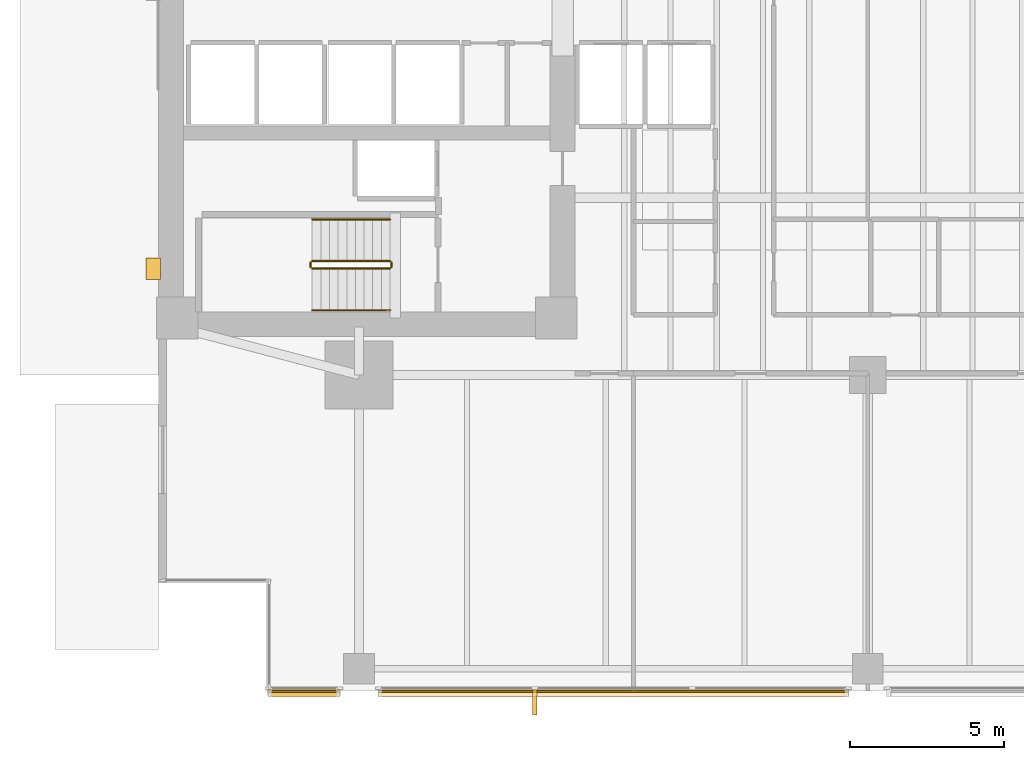
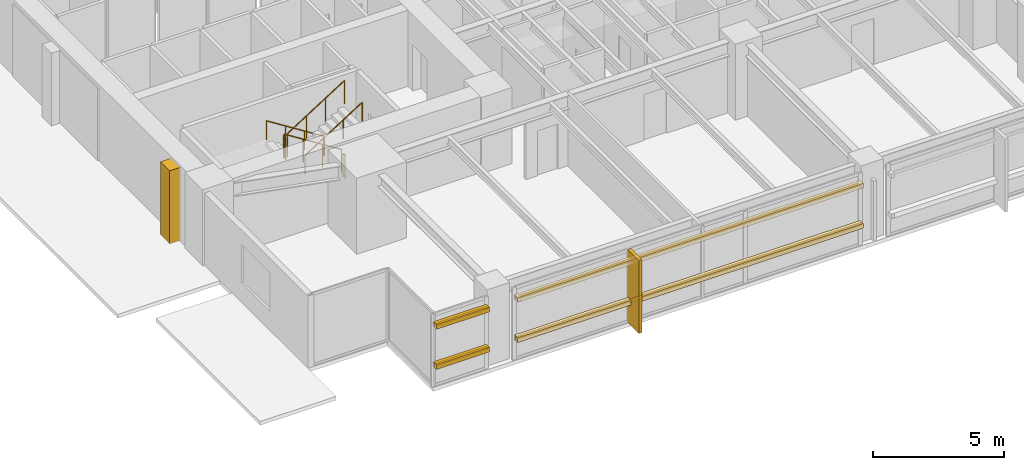
# One storey, part 13 of 16: 6 coverings, 6 railings, 4 shading devices.
"""IFC4 building model written with IfcOpenShell, lengths in metres."""

from ifc_helpers import new_model, si_unit, direction, frame, origin, origin_2d, place, context, subcontext, project, spatial, polyline, rectangle, circle, outline, extrude, material, layer, layer_set, material_profile, profile_set, type_object, element, save


model = new_model("IFC4")

# Units and contexts
model_context = context("Model", 3, precision=1e-05, world=origin(), true_north=direction((0.0, 1.0)))
body_context = subcontext(model_context, "Body", "Model", "MODEL_VIEW")
ifc_project = project(units=[si_unit("LENGTHUNIT", "METRE"), si_unit("AREAUNIT", "SQUARE_METRE"), si_unit("VOLUMEUNIT", "CUBIC_METRE"), si_unit("PLANEANGLEUNIT", "RADIAN"), si_unit("MASSUNIT", "GRAM", prefix="KILO")], contexts=[model_context])

# Site, building, storey
site_placement = place(None, origin())
site = spatial("IfcSite", under=ifc_project, at=site_placement, CompositionType="ELEMENT")
building_placement = place(site_placement, origin())
building = spatial("IfcBuilding", under=site, at=building_placement, Name="Kinhvarn Gate Tower", CompositionType="ELEMENT")
storey_placement = place(building_placement, frame((0.0, 0.0, 25.60009765625)))
storey = spatial("IfcBuildingStorey", under=building, at=storey_placement, Name="L05", CompositionType="ELEMENT", Elevation=25.60009765625)

# Coverings
ifc_material_1 = material(Name="Fired architectural terracotta", Category="masonry")
ifc_layer_1 = layer(ifc_material_1, 0.239990234375)
ifc_layer_set_1 = layer_set([ifc_layer_1], Name="Fired architectural terracotta")
covering_type_1 = type_object("IfcCoveringType", Name="COV-BAG-220", PredefinedType="CLADDING", material=ifc_layer_set_1)
for number, where, name in (
    (1, (0.0, 0.0, 0.93994140625), "Terracotta Horizontal Sunscreen Band TBG-220 (L05)"),
    (2, (0.0, 0.0, 2.809814453125), "Terracotta Horizontal Sunscreen Band TBG-220 (L05)"),
):
    element("IfcCovering", number, at=place(storey_placement, frame(where)), inside=storey, type_object=covering_type_1, Name=name, PredefinedType="CLADDING", context=body_context, shape_type="SweptSolid", body=[
        extrude(outline(polyline([(8.0400390625, 2.56005859375), (10.3798828125, 2.56005859375), (10.3798828125, 2.320068359375), (8.0400390625, 2.320068359375), (8.0400390625, 2.56005859375)])), origin(), (0.0, 0.0, 1.0), 0.219970703125),
    ])
for number, where, name in (
    (3, (0.0, 0.0, 0.93994140625), "Terracotta Horizontal Sunscreen Band TBG-220 (L05)"),
    (4, (0.0, 0.0, 2.809814453125), "Terracotta Horizontal Sunscreen Band TBG-220 (L05)"),
):
    element("IfcCovering", number, at=place(storey_placement, frame(where)), inside=storey, type_object=covering_type_1, Name=name, PredefinedType="CLADDING", context=body_context, shape_type="SweptSolid", body=[
        extrude(outline(polyline([(11.6201171875, 2.56005859375), (26.8798828125, 2.56005859375), (26.8798828125, 2.320068359375), (11.6201171875, 2.320068359375), (11.6201171875, 2.56005859375)])), origin(), (0.0, 0.0, 1.0), 0.219970703125),
    ])
ifc_layer_2 = layer(ifc_material_1, 0.139892578125)
ifc_layer_set_2 = layer_set([ifc_layer_2], Name="Fired architectural terracotta")
covering_type_2 = type_object("IfcCoveringType", Name="COV-FIN-850", PredefinedType="CLADDING", material=ifc_layer_set_2)
covering_1_placement = place(storey_placement, frame((0.0, 0.0, -0.02001953125)))
element("IfcCovering", 5, at=covering_1_placement, inside=storey, type_object=covering_type_2, Name="Vertical Terracotta Expressive Fin TFN-850 (L05)", PredefinedType="CLADDING", context=body_context, shape_type="SweptSolid", body=[
    extrude(outline(polyline([(16.623291015625, 2.570068359375), (16.76318359375, 2.570068359375), (16.76318359375, 1.719970703125), (16.623291015625, 1.719970703125), (16.623291015625, 2.570068359375)])), origin(), (0.0, 0.0, 1.0), 3.409912109375),
])
ifc_material_2 = material(Name="Precast white architectural concrete C40/50", Category="concrete")
ifc_layer_3 = layer(ifc_material_2, 0.47998046875)
ifc_layer_set_3 = layer_set([ifc_layer_3], Name="Precast white architectural concrete C40/50")
covering_type_3 = type_object("IfcCoveringType", Name="COV-RIB-450", PredefinedType="CLADDING", material=ifc_layer_set_3)
covering_2_placement = place(storey_placement, frame((0.0, 0.0, -0.02001953125)))
element("IfcCovering", 6, at=covering_2_placement, inside=storey, type_object=covering_type_3, Name="West Core Sculptural Concrete Relief Rib CRB-450 (L05)", PredefinedType="CLADDING", context=body_context, shape_type="SweptSolid", body=[
    extrude(outline(polyline([(4.080078125, 15.85009765625), (4.56005859375, 15.85009765625), (4.56005859375, 16.550048828125), (4.080078125, 16.550048828125), (4.080078125, 15.85009765625)])), origin(), (0.0, 0.0, 1.0), 3.409912109375),
])

# Railings
ifc_material_3 = material(Name="Steel S355", Category="steel")
railing_type_1 = type_object("IfcRailingType", Name="RL-ST-GRD", PredefinedType="BALUSTRADE", material=ifc_material_3)
railing_1_placement = place(storey_placement, frame((12.0, 16.449951171875, 0.177490234375)))
element("IfcRailing", 7, at=railing_1_placement, inside=storey, type_object=railing_type_1, Name="L05 ST1 stair guard 1", PredefinedType="BALUSTRADE", context=body_context, shape_type="SweptSolid", body=[
    extrude(circle(Radius=0.02392578125, at=origin_2d()), frame((0.0, 0.0, 1.076171875), z_axis=(-0.84460694969, 0.0, 0.535386869969), x_axis=(0.0, -1.0, 0.0)), (0.0, 0.0, 1.0), 2.983642578125),
    extrude(circle(Radius=0.02099609375, at=origin_2d()), origin(), (0.0, 0.0, 1.0), 1.052001953125),
    extrude(circle(Radius=0.02099609375, at=origin_2d()), frame((-0.840087890625, 0.0, 0.532470703125)), (0.0, 0.0, 1.0), 1.052001953125),
    extrude(circle(Radius=0.02099609375, at=origin_2d()), frame((-1.679931640625, 0.0, 1.06494140625)), (0.0, 0.0, 1.0), 1.052001953125),
    extrude(circle(Radius=0.02099609375, at=origin_2d()), frame((-2.52001953125, 0.0, 1.597412109375)), (0.0, 0.0, 1.0), 1.052001953125),
])
railing_2_placement = place(storey_placement, frame((9.429931640625, 16.39990234375, 1.77490234375)))
element("IfcRailing", 8, at=railing_2_placement, inside=storey, type_object=railing_type_1, Name="L05 ST1 stair guard 2", PredefinedType="BALUSTRADE", context=body_context, shape_type="SweptSolid", body=[
    extrude(circle(Radius=0.02392578125, at=origin_2d()), frame((0.0, 0.0, 1.076171875), z_axis=(0.0, -1.0, 0.0), x_axis=(1.0, 0.0, 0.0)), (0.0, 0.0, 1.0), 0.14990234375),
    extrude(circle(Radius=0.02099609375, at=origin_2d()), origin(), (0.0, 0.0, 1.0), 1.052001953125),
    extrude(circle(Radius=0.02099609375, at=origin_2d()), frame((0.0, -0.14990234375, 0.0)), (0.0, 0.0, 1.0), 1.052001953125),
])
railing_3_placement = place(storey_placement, frame((9.47998046875, 16.199951171875, 1.952392578125)))
element("IfcRailing", 9, at=railing_3_placement, inside=storey, type_object=railing_type_1, Name="L05 ST1 stair guard 3", PredefinedType="BALUSTRADE", context=body_context, shape_type="SweptSolid", body=[
    extrude(circle(Radius=0.02392578125, at=origin_2d()), frame((0.0, 0.0, 1.076171875), z_axis=(0.84460694969, 0.0, 0.535386869969), x_axis=(0.0, 1.0, 0.0)), (0.0, 0.0, 1.0), 2.983642578125),
    extrude(circle(Radius=0.02099609375, at=origin_2d()), origin(), (0.0, 0.0, 1.0), 1.052001953125),
    extrude(circle(Radius=0.02099609375, at=origin_2d()), frame((0.840087890625, 0.0, 0.532470703125)), (0.0, 0.0, 1.0), 1.052001953125),
    extrude(circle(Radius=0.02099609375, at=origin_2d()), frame((1.679931640625, 0.0, 1.06494140625)), (0.0, 0.0, 1.0), 1.052001953125),
    extrude(circle(Radius=0.02099609375, at=origin_2d()), frame((2.52001953125, 0.0, 1.597412109375)), (0.0, 0.0, 1.0), 1.052001953125),
])
railing_4_placement = place(storey_placement, frame((12.050048828125, 16.39990234375, 0.0)))
element("IfcRailing", 10, at=railing_4_placement, inside=storey, type_object=railing_type_1, Name="L05 ST1 stair guard 4", PredefinedType="BALUSTRADE", context=body_context, shape_type="SweptSolid", body=[
    extrude(circle(Radius=0.02392578125, at=origin_2d()), frame((0.0, 0.0, 1.076171875), z_axis=(0.0, -1.0, 0.0), x_axis=(1.0, 0.0, 0.0)), (0.0, 0.0, 1.0), 0.14990234375),
    extrude(circle(Radius=0.02099609375, at=origin_2d()), origin(), (0.0, 0.0, 1.0), 1.052001953125),
    extrude(circle(Radius=0.02099609375, at=origin_2d()), frame((0.0, -0.14990234375, 0.0)), (0.0, 0.0, 1.0), 1.052001953125),
])
railing_type_2 = type_object("IfcRailingType", Name="RL-ST-HND", PredefinedType="HANDRAIL", material=ifc_material_3)
railing_5_placement = place(storey_placement, frame((12.0, 17.800048828125, 0.177490234375)))
element("IfcRailing", 11, at=railing_5_placement, inside=storey, type_object=railing_type_2, Name="L05 ST1 stair handrail 1", PredefinedType="HANDRAIL", context=body_context, shape_type="SweptSolid", body=[
    extrude(circle(Radius=0.02392578125, at=origin_2d()), frame((0.0, 0.0, 0.8759765625), z_axis=(-0.84460694969, 0.0, 0.535386869969), x_axis=(0.0, -1.0, 0.0)), (0.0, 0.0, 1.0), 2.983642578125),
    extrude(circle(Radius=0.02099609375, at=origin_2d()), origin(), (0.0, 0.0, 1.0), 0.851806640625),
    extrude(circle(Radius=0.02099609375, at=origin_2d()), frame((-0.840087890625, 0.0, 0.532470703125)), (0.0, 0.0, 1.0), 0.851806640625),
    extrude(circle(Radius=0.02099609375, at=origin_2d()), frame((-1.679931640625, 0.0, 1.06494140625)), (0.0, 0.0, 1.0), 0.851806640625),
    extrude(circle(Radius=0.02099609375, at=origin_2d()), frame((-2.52001953125, 0.0, 1.597412109375)), (0.0, 0.0, 1.0), 0.851806640625),
])
railing_6_placement = place(storey_placement, frame((9.47998046875, 14.85009765625, 1.952392578125)))
element("IfcRailing", 12, at=railing_6_placement, inside=storey, type_object=railing_type_2, Name="L05 ST1 stair handrail 2", PredefinedType="HANDRAIL", context=body_context, shape_type="SweptSolid", body=[
    extrude(circle(Radius=0.02392578125, at=origin_2d()), frame((0.0, 0.0, 0.8759765625), z_axis=(0.84460694969, 0.0, 0.535386869969), x_axis=(0.0, 1.0, 0.0)), (0.0, 0.0, 1.0), 2.983642578125),
    extrude(circle(Radius=0.02099609375, at=origin_2d()), origin(), (0.0, 0.0, 1.0), 0.851806640625),
    extrude(circle(Radius=0.02099609375, at=origin_2d()), frame((0.840087890625, 0.0, 0.532470703125)), (0.0, 0.0, 1.0), 0.851806640625),
    extrude(circle(Radius=0.02099609375, at=origin_2d()), frame((1.679931640625, 0.0, 1.06494140625)), (0.0, 0.0, 1.0), 0.851806640625),
    extrude(circle(Radius=0.02099609375, at=origin_2d()), frame((2.52001953125, 0.0, 1.597412109375)), (0.0, 0.0, 1.0), 0.851806640625),
])

# Shading devices
ifc_material_profile = material_profile(ifc_material_1, rectangle(XDim=0.06005859375, YDim=0.139892578125, at=origin_2d()), Name="TC 60x140")
ifc_profile_set = profile_set([ifc_material_profile], Name="Fired architectural terracotta")
shading_device_type = type_object("IfcShadingDeviceType", Name="SHD-BAG-180", PredefinedType="USERDEFINED", material=ifc_profile_set)
for number, where, z_axis, x_axis, name in (
    (13, (8.0400390625, 2.485107421875, 1.0498046875), (1.0, 0.0, 0.0), (0.0, 1.0, 0.0), "Fired Terracotta Baguette Screen Rod 60x140 mm (L05)"),
    (14, (8.0400390625, 2.485107421875, 2.919921875), (1.0, 0.0, 0.0), (0.0, 1.0, 0.0), "Fired Terracotta Baguette Screen Rod 60x140 mm (L05)"),
):
    element("IfcShadingDevice", number, at=place(storey_placement, frame(where, z_axis=z_axis, x_axis=x_axis)), inside=storey, type_object=shading_device_type, Name=name, ObjectType="BAGUETTE", PredefinedType="USERDEFINED", context=body_context, shape_type="SweptSolid", body=[
        extrude(rectangle(XDim=0.06005859375, YDim=0.139892578125, at=origin_2d()), origin(), (0.0, 0.0, 1.0), 2.33984375),
    ])
for number, where, z_axis, x_axis, name in (
    (15, (11.6201171875, 2.485107421875, 1.0498046875), (1.0, 0.0, 0.0), (0.0, 1.0, 0.0), "Fired Terracotta Baguette Screen Rod 60x140 mm (L05)"),
    (16, (11.6201171875, 2.485107421875, 2.919921875), (1.0, 0.0, 0.0), (0.0, 1.0, 0.0), "Fired Terracotta Baguette Screen Rod 60x140 mm (L05)"),
):
    element("IfcShadingDevice", number, at=place(storey_placement, frame(where, z_axis=z_axis, x_axis=x_axis)), inside=storey, type_object=shading_device_type, Name=name, ObjectType="BAGUETTE", PredefinedType="USERDEFINED", context=body_context, shape_type="SweptSolid", body=[
        extrude(rectangle(XDim=0.06005859375, YDim=0.139892578125, at=origin_2d()), origin(), (0.0, 0.0, 1.0), 15.259765625),
    ])

save(model, "model.ifc")
